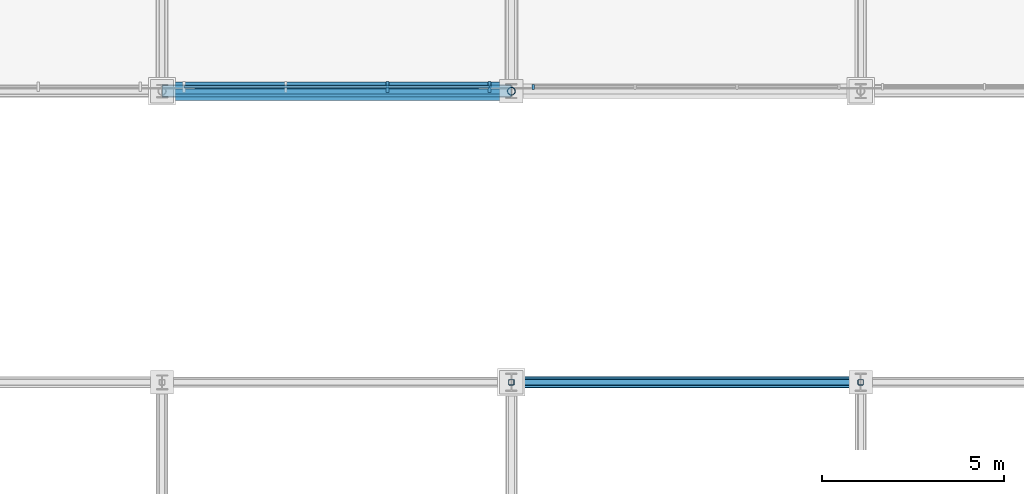
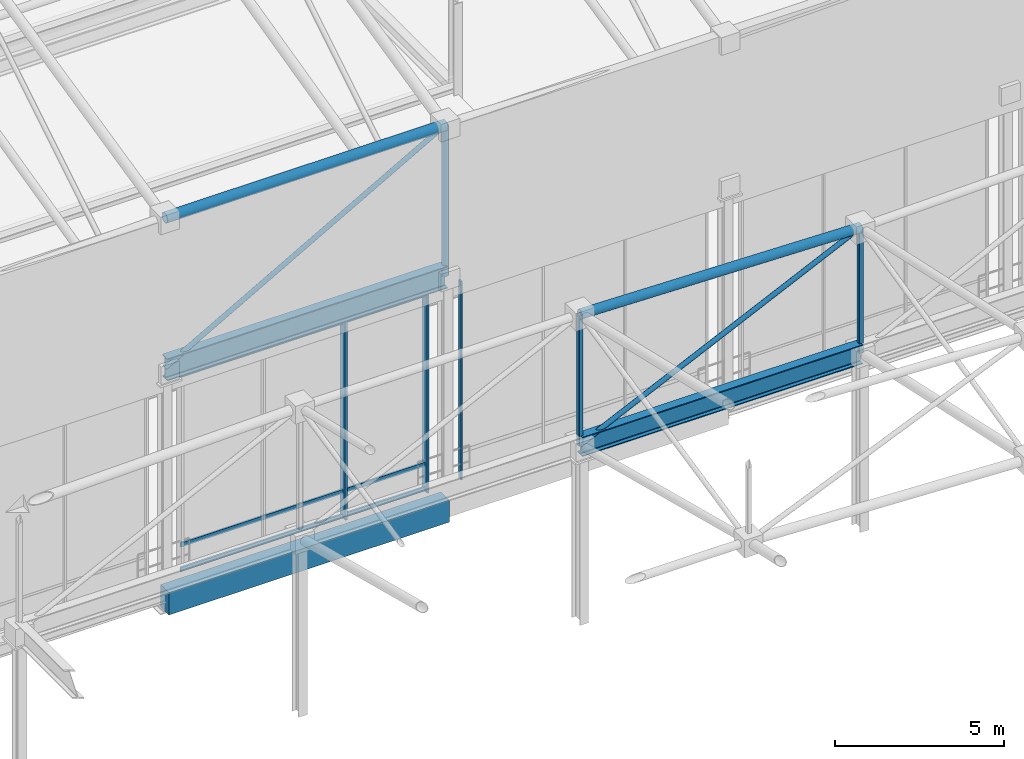
# One storey, part 96 of 193: 13 members, 3 beams, 2 elements without a shape of their own.
"""IFC4 building model written with IfcOpenShell, lengths in metres."""

from ifc_helpers import new_model, si_unit, direction, frame, origin, origin_2d, place, context, subcontext, project, spatial, rectangle, hollow_rectangle, hollow_circle, i_section, extrude, material, material_profile, profile_set, type_object, element, aggregate, save


model = new_model("IFC4")

# Units and contexts
model_context = context("Model", 3, precision=1e-05, world=origin(), true_north=direction((0.0, 1.0)))
body_context = subcontext(model_context, "Body", "Model", "MODEL_VIEW")
ifc_project = project(units=[si_unit("LENGTHUNIT", "METRE"), si_unit("AREAUNIT", "SQUARE_METRE"), si_unit("VOLUMEUNIT", "CUBIC_METRE"), si_unit("PLANEANGLEUNIT", "RADIAN"), si_unit("MASSUNIT", "GRAM", prefix="KILO")], contexts=[model_context])

# Site, building, storey
site_placement = place(None, origin())
site = spatial("IfcSite", under=ifc_project, at=site_placement, CompositionType="ELEMENT")
building_placement = place(site_placement, origin())
building = spatial("IfcBuilding", under=site, at=building_placement, Name="Danafjord Basin Convention Centre", CompositionType="ELEMENT")
storey_placement = place(building_placement, frame((0.0, 0.0, 11.39990234375)))
storey = spatial("IfcBuildingStorey", under=building, at=storey_placement, Name="L02", CompositionType="ELEMENT", Elevation=11.39990234375)

# Beams
ifc_material_1 = material(Name="Steel S355", Category="steel")
ifc_material_profile_1 = material_profile(ifc_material_1, i_section(OverallWidth=0.300048828125, OverallDepth=0.699951171875, WebThickness=0.01708984375, FlangeThickness=0.031982421875, FilletRadius=0.027099609375, at=origin_2d()), Name="HEB 700")
ifc_profile_set_1 = profile_set([ifc_material_profile_1], Name="Steel S355")
beam_type_1 = type_object("IfcBeamType", Name="BEAM-BM-HEB700", PredefinedType="BEAM", material=ifc_profile_set_1)
beam_1_placement = place(storey_placement, frame((163.199951171875, 80.0, 6.35009765625), z_axis=(1.0, 0.0, 0.0), x_axis=(0.0, 1.0, 0.0)))
element("IfcBeam", 1, at=beam_1_placement, inside=storey, type_object=beam_type_1, Name="V3 space-frame perimeter ring girder", PredefinedType="BEAM", context=body_context, shape_type="SweptSolid", body=[
    extrude(i_section(OverallWidth=0.300048828125, OverallDepth=0.699951171875, WebThickness=0.01708984375, FlangeThickness=0.031982421875, FilletRadius=0.027099609375, at=origin_2d()), origin(), (0.0, 0.0, 1.0), 9.60009765625),
])
ifc_material_profile_2 = material_profile(ifc_material_1, i_section(OverallWidth=0.300048828125, OverallDepth=0.800048828125, WebThickness=0.017578125, FlangeThickness=0.032958984375, FilletRadius=0.030029296875, at=origin_2d()), Name="HEB 800")
ifc_profile_set_2 = profile_set([ifc_material_profile_2], Name="Steel S355")
beam_type_2 = type_object("IfcBeamType", Name="BEAM-BM-HEB800", PredefinedType="BEAM", material=ifc_profile_set_2)
beam_2_placement = place(storey_placement, frame((153.60009765625, 88.0, 7.650146484375), z_axis=(1.0, 0.0, 0.0), x_axis=(0.0, 1.0, 0.0)))
element("IfcBeam", 2, at=beam_2_placement, inside=storey, type_object=beam_type_2, Name="V2 space-frame perimeter ring girder", PredefinedType="BEAM", context=body_context, shape_type="SweptSolid", body=[
    extrude(i_section(OverallWidth=0.300048828125, OverallDepth=0.800048828125, WebThickness=0.017578125, FlangeThickness=0.032958984375, FilletRadius=0.030029296875, at=origin_2d()), origin(), (0.0, 0.0, 1.0), 9.599853515625),
])
ifc_material_2 = material(Name="Precast concrete C45/55", Category="concrete")
ifc_material_profile_3 = material_profile(ifc_material_2, rectangle(XDim=0.5, YDim=0.800048828125, at=origin_2d()), Name="PCB 500x800")
ifc_profile_set_3 = profile_set([ifc_material_profile_3], Name="Precast concrete C45/55")
beam_type_3 = type_object("IfcBeamType", Name="BEAM-SP-PCB800", PredefinedType="SPANDREL", material=ifc_profile_set_3)
beam_3_placement = place(storey_placement, frame((153.60009765625, 88.0, -0.760009765625), z_axis=(1.0, 0.0, 0.0), x_axis=(0.0, 1.0, 0.0)))
element("IfcBeam", 3, at=beam_3_placement, inside=storey, type_object=beam_type_3, Name="L02 girder SP-PCB800", PredefinedType="SPANDREL", context=body_context, shape_type="SweptSolid", body=[
    extrude(rectangle(XDim=0.5, YDim=0.800048828125, at=origin_2d()), origin(), (0.0, 0.0, 1.0), 9.599853515625),
])

# Members
ifc_material_profile_4 = material_profile(ifc_material_1, hollow_circle(Radius=0.161865234375, WallThickness=0.01611328125, at=origin_2d()), Name="CHS 323.9x16.0")
ifc_profile_set_4 = profile_set([ifc_material_profile_4], Name="Steel S355")
member_type_1 = type_object("IfcMemberType", Name="MEM-CH-CHS324", PredefinedType="CHORD", material=ifc_profile_set_4)
member_1_placement = place(storey_placement, frame((163.199951171875, 80.0, 11.0751953125), z_axis=(0.999725222215, 0.0, -0.023440991172), x_axis=(0.0, 1.0, 0.0)))
element("IfcMember", 4, at=member_1_placement, inside=storey, type_object=member_type_1, Name="V3 roof truss longitudinal top chord", PredefinedType="CHORD", context=body_context, shape_type="SweptSolid", body=[
    extrude(hollow_circle(Radius=0.161865234375, WallThickness=0.01611328125, at=origin_2d()), origin(), (0.0, 0.0, 1.0), 9.602783203125),
])
ifc_material_profile_5 = material_profile(ifc_material_1, hollow_circle(Radius=0.177734375, WallThickness=0.01611328125, at=origin_2d()), Name="CHS 355.6x16.0")
ifc_profile_set_5 = profile_set([ifc_material_profile_5], Name="Steel S355")
member_type_2 = type_object("IfcMemberType", Name="MEM-CH-CHS355", PredefinedType="CHORD", material=ifc_profile_set_5)
member_2_placement = place(storey_placement, frame((153.60009765625, 88.0, 13.0751953125), z_axis=(1.0, 0.0, 0.0), x_axis=(0.0, 1.0, 0.0)))
element("IfcMember", 5, at=member_2_placement, inside=storey, type_object=member_type_2, Name="V2 roof truss longitudinal top chord", PredefinedType="CHORD", context=body_context, shape_type="SweptSolid", body=[
    extrude(hollow_circle(Radius=0.177734375, WallThickness=0.01611328125, at=origin_2d()), origin(), (0.0, 0.0, 1.0), 9.599853515625),
])

# Curtain wall, member
ifc_material_3 = material(Name="Anodised aluminium and triple glazing", Category="aluminium")
curtain_wall_type = type_object("IfcCurtainWallType", Name="CW-CW-DRUM", PredefinedType="NOTDEFINED", material=ifc_material_3)
curtain_wall_1_placement = place(storey_placement, origin())
curtain_wall_1 = element("IfcCurtainWall", 6, at=curtain_wall_1_placement, inside=storey, type_object=curtain_wall_type, Name="L02 CW-DRUM unitised curtain wall bay 125", PredefinedType="NOTDEFINED")
ifc_material_4 = material(Name="Anodised aluminium EN AW-6060", Category="aluminium")
ifc_material_profile_6 = material_profile(ifc_material_4, rectangle(XDim=0.06005859375, YDim=0.139892578125, at=origin_2d()), Name="MULL 60x140")
ifc_profile_set_6 = profile_set([ifc_material_profile_6], Name="Anodised aluminium EN AW-6060")
member_type_3 = type_object("IfcMemberType", Name="MEM-ML-140", PredefinedType="MULLION", material=ifc_profile_set_6)
member_3_placement = place(storey_placement, frame((163.800048828125, 88.1201171875, -0.02490234375), z_axis=(0.0, 0.0, 1.0), x_axis=(1.0, 0.0, 0.0)))
member_3 = element("IfcMember", 7, at=member_3_placement, type_object=member_type_3, Name="CW-L02-125 mullion 1", PredefinedType="MULLION", context=body_context, shape_type="SweptSolid", body=[
    extrude(rectangle(XDim=0.06005859375, YDim=0.139892578125, at=origin_2d()), origin(), (0.0, 0.0, 1.0), 7.18505859375),
])
aggregate(curtain_wall_1, [member_3])

# Curtain wall, members
curtain_wall_2_placement = place(storey_placement, origin())
curtain_wall_2 = element("IfcCurtainWall", 8, at=curtain_wall_2_placement, inside=storey, type_object=curtain_wall_type, Name="L02 CW-DRUM unitised curtain wall bay 124", PredefinedType="NOTDEFINED")
ifc_material_profile_7 = material_profile(ifc_material_4, rectangle(XDim=0.080078125, YDim=0.300048828125, at=origin_2d()), Name="MULL 80x300")
ifc_profile_set_7 = profile_set([ifc_material_profile_7], Name="Anodised aluminium EN AW-6060")
member_type_4 = type_object("IfcMemberType", Name="MEM-ML-300", PredefinedType="MULLION", material=ifc_profile_set_7)
member_4_placement = place(storey_placement, frame((159.800048828125, 88.1201171875, -0.02490234375), z_axis=(0.0, 0.0, 1.0), x_axis=(1.0, 0.0, 0.0)))
member_4 = element("IfcMember", 9, at=member_4_placement, type_object=member_type_4, Name="CW-L02-124 mullion 3", PredefinedType="MULLION", context=body_context, shape_type="SweptSolid", body=[
    extrude(rectangle(XDim=0.080078125, YDim=0.300048828125, at=origin_2d()), origin(), (0.0, 0.0, 1.0), 7.18505859375),
])
member_5_placement = place(storey_placement, frame((162.60009765625, 88.1201171875, -0.02490234375), z_axis=(0.0, 0.0, 1.0), x_axis=(1.0, 0.0, 0.0)))
member_5 = element("IfcMember", 10, at=member_5_placement, type_object=member_type_4, Name="CW-L02-124 mullion 4", PredefinedType="MULLION", context=body_context, shape_type="SweptSolid", body=[
    extrude(rectangle(XDim=0.080078125, YDim=0.300048828125, at=origin_2d()), origin(), (0.0, 0.0, 1.0), 7.18505859375),
])

# Members
ifc_material_profile_8 = material_profile(ifc_material_1, hollow_circle(Radius=0.109619140625, WallThickness=0.010009765625, at=origin_2d()), Name="CHS 219.1x10.0")
ifc_profile_set_8 = profile_set([ifc_material_profile_8], Name="Steel S355")
member_type_5 = type_object("IfcMemberType", Name="MEM-ST-CHS219", PredefinedType="STRUT", material=ifc_profile_set_8)
member_6_placement = place(storey_placement, frame((163.199951171875, 88.0, 7.650146484375), z_axis=(0.0, 0.0, 1.0), x_axis=(1.0, 0.0, 0.0)))
element("IfcMember", 11, at=member_6_placement, inside=storey, type_object=member_type_5, Name="V2 roof truss vertical strut", PredefinedType="STRUT", context=body_context, shape_type="SweptSolid", body=[
    extrude(hollow_circle(Radius=0.109619140625, WallThickness=0.010009765625, at=origin_2d()), origin(), (0.0, 0.0, 1.0), 5.425048828125),
])
ifc_material_profile_9 = material_profile(ifc_material_1, hollow_rectangle(XDim=0.14990234375, YDim=0.14990234375, WallThickness=0.008056640625, InnerFilletRadius=0.011962890625, OuterFilletRadius=0.02001953125, at=origin_2d()), Name="SHS 150x150x8.0")
ifc_profile_set_9 = profile_set([ifc_material_profile_9], Name="Steel S355")
member_type_6 = type_object("IfcMemberType", Name="MEM-ST-SHS150", PredefinedType="STRUT", material=ifc_profile_set_9)
member_7_placement = place(storey_placement, frame((163.199951171875, 80.0, 6.35009765625), z_axis=(0.0, 0.0, 1.0), x_axis=(1.0, 0.0, 0.0)))
element("IfcMember", 12, at=member_7_placement, inside=storey, type_object=member_type_6, Name="V3 roof truss vertical strut", PredefinedType="STRUT", context=body_context, shape_type="SweptSolid", body=[
    extrude(hollow_rectangle(XDim=0.14990234375, YDim=0.14990234375, WallThickness=0.008056640625, InnerFilletRadius=0.011962890625, OuterFilletRadius=0.02001953125, at=origin_2d()), origin(), (0.0, 0.0, 1.0), 4.72509765625),
])
member_8_placement = place(storey_placement, frame((172.800048828125, 80.0, 6.35009765625), z_axis=(0.0, 0.0, 1.0), x_axis=(1.0, 0.0, 0.0)))
element("IfcMember", 13, at=member_8_placement, inside=storey, type_object=member_type_6, Name="V3 roof truss vertical strut", PredefinedType="STRUT", context=body_context, shape_type="SweptSolid", body=[
    extrude(hollow_rectangle(XDim=0.14990234375, YDim=0.14990234375, WallThickness=0.008056640625, InnerFilletRadius=0.011962890625, OuterFilletRadius=0.02001953125, at=origin_2d()), origin(), (0.0, 0.0, 1.0), 4.5),
])

# Member
ifc_material_profile_10 = material_profile(ifc_material_4, rectangle(XDim=0.06005859375, YDim=0.14990234375, at=origin_2d()), Name="TRAN 60x150")
ifc_profile_set_10 = profile_set([ifc_material_profile_10], Name="Anodised aluminium EN AW-6060")
member_type_7 = type_object("IfcMemberType", Name="MEM-TR-150", PredefinedType="USERDEFINED", material=ifc_profile_set_10)
member_9_placement = place(storey_placement, frame((154.199951171875, 88.1201171875, 0.06005859375), z_axis=(1.0, 0.0, 0.0), x_axis=(0.0, 1.0, 0.0)))
member_9 = element("IfcMember", 14, at=member_9_placement, type_object=member_type_7, Name="CW-L02-124 transom 1", ObjectType="TRANSOM", PredefinedType="USERDEFINED", context=body_context, shape_type="SweptSolid", body=[
    extrude(rectangle(XDim=0.06005859375, YDim=0.14990234375, at=origin_2d()), origin(), (0.0, 0.0, 1.0), 8.400146484375),
])

member_10_placement = place(storey_placement, frame((154.199951171875, 88.1201171875, 0.9501953125), z_axis=(1.0, 0.0, 0.0), x_axis=(0.0, 1.0, 0.0)))
member_10 = element("IfcMember", 15, at=member_10_placement, type_object=member_type_7, Name="CW-L02-124 transom 2", ObjectType="TRANSOM", PredefinedType="USERDEFINED", context=body_context, shape_type="SweptSolid", body=[
    extrude(rectangle(XDim=0.06005859375, YDim=0.14990234375, at=origin_2d()), origin(), (0.0, 0.0, 1.0), 8.400146484375),
])

member_11_placement = place(storey_placement, frame((154.199951171875, 88.1201171875, 7.090087890625), z_axis=(1.0, 0.0, 0.0), x_axis=(0.0, 1.0, 0.0)))
member_11 = element("IfcMember", 16, at=member_11_placement, type_object=member_type_7, Name="CW-L02-124 transom 3", ObjectType="TRANSOM", PredefinedType="USERDEFINED", context=body_context, shape_type="SweptSolid", body=[
    extrude(rectangle(XDim=0.06005859375, YDim=0.14990234375, at=origin_2d()), origin(), (0.0, 0.0, 1.0), 8.400146484375),
])

aggregate(curtain_wall_2, [member_4, member_5, member_9, member_10, member_11])

# Members
ifc_material_profile_11 = material_profile(ifc_material_1, hollow_circle(Radius=0.084228515625, WallThickness=0.008056640625, at=origin_2d()), Name="CHS 168.3x8.0")
ifc_profile_set_11 = profile_set([ifc_material_profile_11], Name="Steel S355")
member_type_8 = type_object("IfcMemberType", Name="MEM-WB-CHS168", PredefinedType="MEMBER", material=ifc_profile_set_11)
member_12_placement = place(storey_placement, frame((153.60009765625, 88.0, 7.650146484375), z_axis=(0.870599949112, 0.0, 0.491991594039), x_axis=(0.0, 1.0, 0.0)))
element("IfcMember", 17, at=member_12_placement, inside=storey, type_object=member_type_8, Name="V2 space-frame longitudinal web", PredefinedType="MEMBER", context=body_context, shape_type="SweptSolid", body=[
    extrude(hollow_circle(Radius=0.084228515625, WallThickness=0.008056640625, at=origin_2d()), origin(), (0.0, 0.0, 1.0), 11.026611328125),
])
member_13_placement = place(storey_placement, frame((163.199951171875, 80.0, 6.35009765625), z_axis=(0.90546059521, 0.0, 0.424430336476), x_axis=(0.0, 1.0, 0.0)))
element("IfcMember", 18, at=member_13_placement, inside=storey, type_object=member_type_8, Name="V3 space-frame longitudinal web", PredefinedType="MEMBER", context=body_context, shape_type="SweptSolid", body=[
    extrude(hollow_circle(Radius=0.084228515625, WallThickness=0.008056640625, at=origin_2d()), origin(), (0.0, 0.0, 1.0), 10.6025390625),
])

save(model, "model.ifc")
